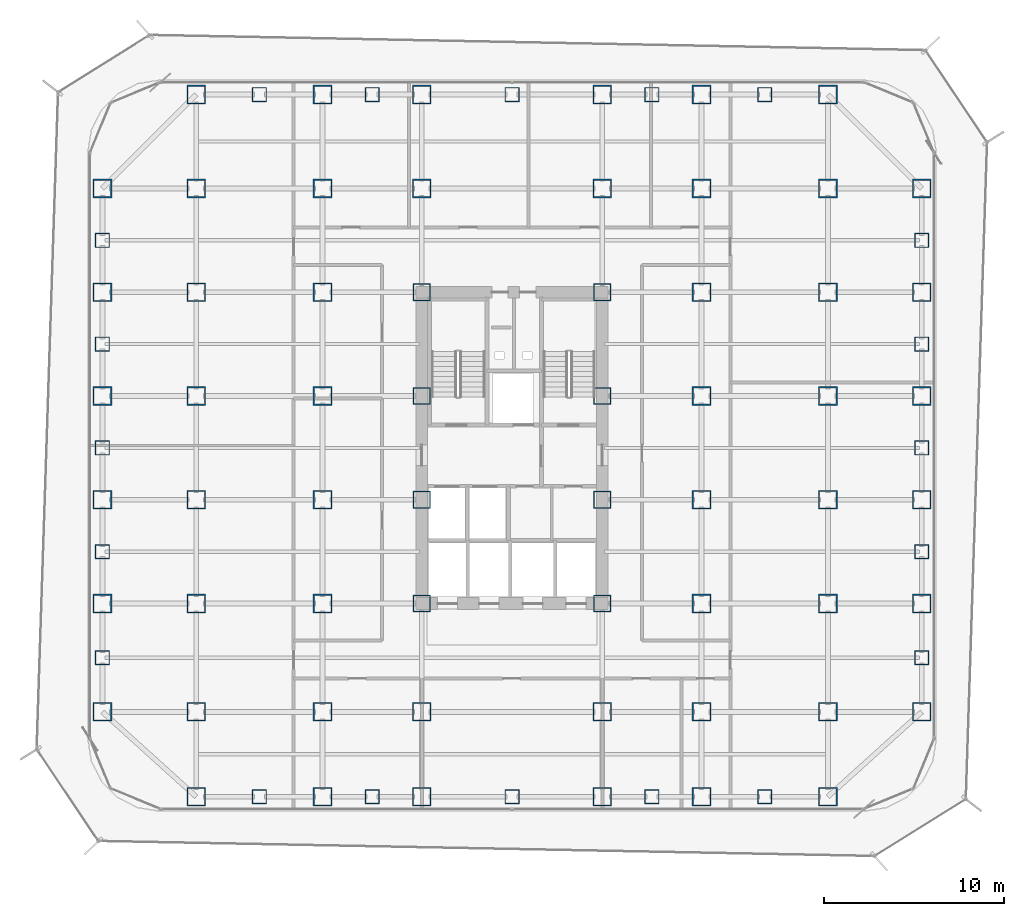
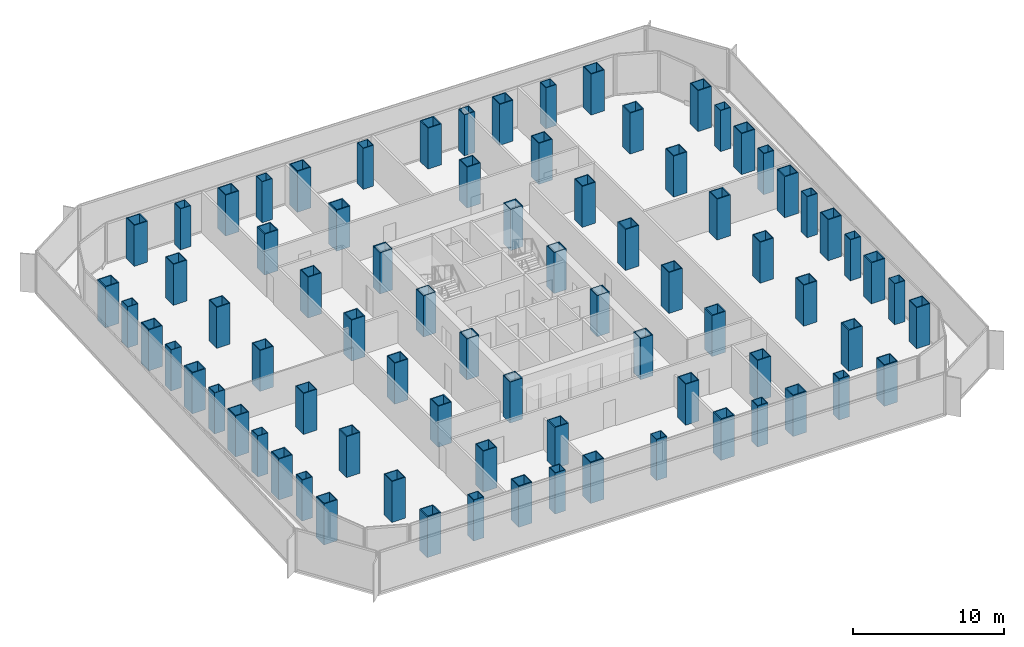
# One storey, part 1 of 21: 80 columns.
"""IFC4 building model written with IfcOpenShell, lengths in metres."""

from ifc_helpers import new_model, si_unit, direction, frame, origin, origin_2d, place, context, subcontext, project, spatial, hollow_rectangle, extrude, source, transform, mapped, material, material_profile, profile_set, type_object, element, save


model = new_model("IFC4")

# Units and contexts
model_context = context("Model", 3, precision=1e-05, world=origin(), true_north=direction((0.0, 1.0)))
body_context = subcontext(model_context, "Body", "Model", "MODEL_VIEW")
ifc_project = project(units=[si_unit("LENGTHUNIT", "METRE"), si_unit("AREAUNIT", "SQUARE_METRE"), si_unit("VOLUMEUNIT", "CUBIC_METRE"), si_unit("PLANEANGLEUNIT", "RADIAN"), si_unit("MASSUNIT", "GRAM", prefix="KILO")], contexts=[model_context])

# Site, building, storey
site_placement = place(None, origin())
site = spatial("IfcSite", under=ifc_project, at=site_placement, CompositionType="ELEMENT")
building_placement = place(site_placement, origin())
building = spatial("IfcBuilding", under=site, at=building_placement, Name="Kolveth Station Tower", CompositionType="ELEMENT")
storey_placement = place(building_placement, frame((0.0, 0.0, 33.300048828125)))
storey = spatial("IfcBuildingStorey", under=building, at=storey_placement, Name="L08", CompositionType="ELEMENT", Elevation=33.300048828125)

# Columns
ifc_material_1 = material(Name="Steel S460", Category="steel")
ifc_material_profile_1 = material_profile(ifc_material_1, hollow_rectangle(XDim=1.0400390625, YDim=1.0400390625, WallThickness=0.06494140625, at=origin_2d()), Name="BOX1040x1040x65")
ifc_profile_set_1 = profile_set([ifc_material_profile_1], Name="Steel S460")
column_type_1 = type_object("IfcColumnType", Name="Col_C2", PredefinedType="COLUMN", material=ifc_profile_set_1)
shared_shape_1 = source(origin(), body_context, "Body", "SweptSolid", [
    extrude(hollow_rectangle(XDim=1.0400390625, YDim=1.0400390625, WallThickness=0.06494140625, at=origin_2d()), origin(), (0.0, 0.0, 1.0), 3.320068359375),
])
for number, where, z_axis, x_axis, name in (
    (1, (6.0, 0.800048828125, 0.0), (0.0, 0.0, 1.0), (1.0, 0.0, 0.0), "L08 Tower Column S-X60"),
    (2, (6.0, 39.699951171875, 0.0), (0.0, 0.0, 1.0), (1.0, 0.0, 0.0), "L08 Tower Column N-X60"),
    (3, (13.0, 0.800048828125, 0.0), (0.0, 0.0, 1.0), (1.0, 0.0, 0.0), "L08 Tower Column S-X130"),
    (4, (13.0, 39.699951171875, 0.0), (0.0, 0.0, 1.0), (1.0, 0.0, 0.0), "L08 Tower Column N-X130"),
    (5, (18.5, 0.800048828125, 0.0), (0.0, 0.0, 1.0), (1.0, 0.0, 0.0), "L08 Tower Column S-X185"),
    (6, (18.5, 39.699951171875, 0.0), (0.0, 0.0, 1.0), (1.0, 0.0, 0.0), "L08 Tower Column N-X185"),
    (7, (28.5, 0.800048828125, 0.0), (0.0, 0.0, 1.0), (1.0, 0.0, 0.0), "L08 Tower Column S-X285"),
    (8, (28.5, 39.699951171875, 0.0), (0.0, 0.0, 1.0), (1.0, 0.0, 0.0), "L08 Tower Column N-X285"),
    (9, (34.0, 0.800048828125, 0.0), (0.0, 0.0, 1.0), (1.0, 0.0, 0.0), "L08 Tower Column S-X340"),
    (10, (34.0, 39.699951171875, 0.0), (0.0, 0.0, 1.0), (1.0, 0.0, 0.0), "L08 Tower Column N-X340"),
    (11, (41.0, 0.800048828125, 0.0), (0.0, 0.0, 1.0), (1.0, 0.0, 0.0), "L08 Tower Column S-X410"),
    (12, (41.0, 39.699951171875, 0.0), (0.0, 0.0, 1.0), (1.0, 0.0, 0.0), "L08 Tower Column N-X410"),
    (13, (0.800048828125, 5.5, 0.0), (0.0, 0.0, 1.0), (1.0, 0.0, 0.0), "L08 Tower Column W-Y55"),
    (14, (46.199951171875, 5.5, 0.0), (0.0, 0.0, 1.0), (1.0, 0.0, 0.0), "L08 Tower Column E-Y55"),
    (15, (0.800048828125, 11.5, 0.0), (0.0, 0.0, 1.0), (1.0, 0.0, 0.0), "L08 Tower Column W-Y115"),
    (16, (46.199951171875, 11.5, 0.0), (0.0, 0.0, 1.0), (1.0, 0.0, 0.0), "L08 Tower Column E-Y115"),
    (17, (0.800048828125, 17.25, 0.0), (0.0, 0.0, 1.0), (1.0, 0.0, 0.0), "L08 Tower Column W-Y172"),
    (18, (46.199951171875, 17.25, 0.0), (0.0, 0.0, 1.0), (1.0, 0.0, 0.0), "L08 Tower Column E-Y172"),
    (19, (0.800048828125, 23.0, 0.0), (0.0, 0.0, 1.0), (1.0, 0.0, 0.0), "L08 Tower Column W-Y230"),
    (20, (46.199951171875, 23.0, 0.0), (0.0, 0.0, 1.0), (1.0, 0.0, 0.0), "L08 Tower Column E-Y230"),
    (21, (0.800048828125, 28.75, 0.0), (0.0, 0.0, 1.0), (1.0, 0.0, 0.0), "L08 Tower Column W-Y287"),
    (22, (46.199951171875, 28.75, 0.0), (0.0, 0.0, 1.0), (1.0, 0.0, 0.0), "L08 Tower Column E-Y287"),
    (23, (0.800048828125, 34.5, 0.0), (0.0, 0.0, 1.0), (1.0, 0.0, 0.0), "L08 Tower Column W-Y345"),
    (24, (46.199951171875, 34.5, 0.0), (0.0, 0.0, 1.0), (1.0, 0.0, 0.0), "L08 Tower Column E-Y345"),
    (25, (6.0, 5.5, 0.0), (0.0, 0.0, 1.0), (1.0, 0.0, 0.0), "L08 Tower Column G-60-55"),
    (26, (6.0, 11.5, 0.0), (0.0, 0.0, 1.0), (1.0, 0.0, 0.0), "L08 Tower Column G-60-115"),
    (27, (6.0, 17.25, 0.0), (0.0, 0.0, 1.0), (1.0, 0.0, 0.0), "L08 Tower Column G-60-172"),
    (28, (6.0, 23.0, 0.0), (0.0, 0.0, 1.0), (1.0, 0.0, 0.0), "L08 Tower Column G-60-230"),
    (29, (6.0, 28.75, 0.0), (0.0, 0.0, 1.0), (1.0, 0.0, 0.0), "L08 Tower Column G-60-287"),
    (30, (6.0, 34.5, 0.0), (0.0, 0.0, 1.0), (1.0, 0.0, 0.0), "L08 Tower Column G-60-345"),
    (31, (13.0, 5.5, 0.0), (0.0, 0.0, 1.0), (1.0, 0.0, 0.0), "L08 Tower Column G-130-55"),
    (32, (13.0, 11.5, 0.0), (0.0, 0.0, 1.0), (1.0, 0.0, 0.0), "L08 Tower Column G-130-115"),
    (33, (13.0, 17.25, 0.0), (0.0, 0.0, 1.0), (1.0, 0.0, 0.0), "L08 Tower Column G-130-172"),
    (34, (13.0, 23.0, 0.0), (0.0, 0.0, 1.0), (1.0, 0.0, 0.0), "L08 Tower Column G-130-230"),
    (35, (13.0, 28.75, 0.0), (0.0, 0.0, 1.0), (1.0, 0.0, 0.0), "L08 Tower Column G-130-287"),
    (36, (13.0, 34.5, 0.0), (0.0, 0.0, 1.0), (1.0, 0.0, 0.0), "L08 Tower Column G-130-345"),
    (37, (18.5, 5.5, 0.0), (0.0, 0.0, 1.0), (1.0, 0.0, 0.0), "L08 Tower Column G-185-55"),
    (38, (18.5, 34.5, 0.0), (0.0, 0.0, 1.0), (1.0, 0.0, 0.0), "L08 Tower Column G-185-345"),
    (39, (28.5, 5.5, 0.0), (0.0, 0.0, 1.0), (1.0, 0.0, 0.0), "L08 Tower Column G-285-55"),
    (40, (28.5, 34.5, 0.0), (0.0, 0.0, 1.0), (1.0, 0.0, 0.0), "L08 Tower Column G-285-345"),
    (41, (34.0, 5.5, 0.0), (0.0, 0.0, 1.0), (1.0, 0.0, 0.0), "L08 Tower Column G-340-55"),
    (42, (34.0, 11.5, 0.0), (0.0, 0.0, 1.0), (1.0, 0.0, 0.0), "L08 Tower Column G-340-115"),
    (43, (34.0, 17.25, 0.0), (0.0, 0.0, 1.0), (1.0, 0.0, 0.0), "L08 Tower Column G-340-172"),
    (44, (34.0, 23.0, 0.0), (0.0, 0.0, 1.0), (1.0, 0.0, 0.0), "L08 Tower Column G-340-230"),
    (45, (34.0, 28.75, 0.0), (0.0, 0.0, 1.0), (1.0, 0.0, 0.0), "L08 Tower Column G-340-287"),
    (46, (34.0, 34.5, 0.0), (0.0, 0.0, 1.0), (1.0, 0.0, 0.0), "L08 Tower Column G-340-345"),
    (47, (41.0, 5.5, 0.0), (0.0, 0.0, 1.0), (1.0, 0.0, 0.0), "L08 Tower Column G-410-55"),
    (48, (41.0, 11.5, 0.0), (0.0, 0.0, 1.0), (1.0, 0.0, 0.0), "L08 Tower Column G-410-115"),
    (49, (41.0, 17.25, 0.0), (0.0, 0.0, 1.0), (1.0, 0.0, 0.0), "L08 Tower Column G-410-172"),
    (50, (41.0, 23.0, 0.0), (0.0, 0.0, 1.0), (1.0, 0.0, 0.0), "L08 Tower Column G-410-230"),
    (51, (41.0, 28.75, 0.0), (0.0, 0.0, 1.0), (1.0, 0.0, 0.0), "L08 Tower Column G-410-287"),
    (52, (41.0, 34.5, 0.0), (0.0, 0.0, 1.0), (1.0, 0.0, 0.0), "L08 Tower Column G-410-345"),
):
    element("IfcColumn", number, at=place(storey_placement, frame(where, z_axis=z_axis, x_axis=x_axis)), inside=storey, type_object=column_type_1, Name=name, PredefinedType="COLUMN", context=body_context, shape_type="MappedRepresentation", body=[
        mapped(shared_shape_1, transform((0.0, 0.0, 0.0), x_axis=(1.0, 0.0, 0.0), y_axis=(0.0, 1.0, 0.0), z_axis=(0.0, 0.0, 1.0), scale=1.0)),
    ])
ifc_material_profile_2 = material_profile(ifc_material_1, hollow_rectangle(XDim=0.9599609375, YDim=0.9599609375, WallThickness=0.06005859375, at=origin_2d()), Name="BOX960x960x60")
ifc_profile_set_2 = profile_set([ifc_material_profile_2], Name="Steel S460")
column_type_2 = type_object("IfcColumnType", Name="Col_C3", PredefinedType="COLUMN", material=ifc_profile_set_2)
shared_shape_2 = source(origin(), body_context, "Body", "SweptSolid", [
    extrude(hollow_rectangle(XDim=0.9599609375, YDim=0.9599609375, WallThickness=0.06005859375, at=origin_2d()), origin(), (0.0, 0.0, 1.0), 3.320068359375),
])
for number, where, z_axis, x_axis, name in (
    (53, (18.5, 11.5, 0.0), (0.0, 0.0, 1.0), (1.0, 0.0, 0.0), "L08 Tower Column G-185-115"),
    (54, (18.5, 17.25, 0.0), (0.0, 0.0, 1.0), (1.0, 0.0, 0.0), "L08 Tower Column G-185-172"),
    (55, (18.5, 23.0, 0.0), (0.0, 0.0, 1.0), (1.0, 0.0, 0.0), "L08 Tower Column G-185-230"),
    (56, (18.5, 28.75, 0.0), (0.0, 0.0, 1.0), (1.0, 0.0, 0.0), "L08 Tower Column G-185-287"),
    (57, (28.5, 11.5, 0.0), (0.0, 0.0, 1.0), (1.0, 0.0, 0.0), "L08 Tower Column G-285-115"),
    (58, (28.5, 17.25, 0.0), (0.0, 0.0, 1.0), (1.0, 0.0, 0.0), "L08 Tower Column G-285-172"),
    (59, (28.5, 23.0, 0.0), (0.0, 0.0, 1.0), (1.0, 0.0, 0.0), "L08 Tower Column G-285-230"),
    (60, (28.5, 28.75, 0.0), (0.0, 0.0, 1.0), (1.0, 0.0, 0.0), "L08 Tower Column G-285-287"),
):
    element("IfcColumn", number, at=place(storey_placement, frame(where, z_axis=z_axis, x_axis=x_axis)), inside=storey, type_object=column_type_2, Name=name, PredefinedType="COLUMN", context=body_context, shape_type="MappedRepresentation", body=[
        mapped(shared_shape_2, transform((0.0, 0.0, 0.0), x_axis=(1.0, 0.0, 0.0), y_axis=(0.0, 1.0, 0.0), z_axis=(0.0, 0.0, 1.0), scale=1.0)),
    ])
ifc_material_2 = material(Name="Steel S355", Category="steel")
ifc_material_profile_3 = material_profile(ifc_material_2, hollow_rectangle(XDim=0.800048828125, YDim=0.800048828125, WallThickness=0.044921875, at=origin_2d()), Name="BOX800x800x45")
ifc_profile_set_3 = profile_set([ifc_material_profile_3], Name="Steel S355")
column_type_3 = type_object("IfcColumnType", Name="Col_C5", PredefinedType="COLUMN", material=ifc_profile_set_3)
shared_shape_3 = source(origin(), body_context, "Body", "SweptSolid", [
    extrude(hollow_rectangle(XDim=0.800048828125, YDim=0.800048828125, WallThickness=0.044921875, at=origin_2d()), origin(), (0.0, 0.0, 1.0), 3.320068359375),
])
for number, where, z_axis, x_axis, name in (
    (61, (9.5, 0.800048828125, 0.0), (0.0, 0.0, 1.0), (1.0, 0.0, 0.0), "L08 Tower Column MS-X95"),
    (62, (9.5, 39.699951171875, 0.0), (0.0, 0.0, 1.0), (1.0, 0.0, 0.0), "L08 Tower Column MN-X95"),
    (63, (15.75, 0.800048828125, 0.0), (0.0, 0.0, 1.0), (1.0, 0.0, 0.0), "L08 Tower Column MS-X157"),
    (64, (15.75, 39.699951171875, 0.0), (0.0, 0.0, 1.0), (1.0, 0.0, 0.0), "L08 Tower Column MN-X157"),
    (65, (23.5, 0.800048828125, 0.0), (0.0, 0.0, 1.0), (1.0, 0.0, 0.0), "L08 Tower Column MS-X235"),
    (66, (23.5, 39.699951171875, 0.0), (0.0, 0.0, 1.0), (1.0, 0.0, 0.0), "L08 Tower Column MN-X235"),
    (67, (31.25, 0.800048828125, 0.0), (0.0, 0.0, 1.0), (1.0, 0.0, 0.0), "L08 Tower Column MS-X312"),
    (68, (31.25, 39.699951171875, 0.0), (0.0, 0.0, 1.0), (1.0, 0.0, 0.0), "L08 Tower Column MN-X312"),
    (69, (37.5, 0.800048828125, 0.0), (0.0, 0.0, 1.0), (1.0, 0.0, 0.0), "L08 Tower Column MS-X375"),
    (70, (37.5, 39.699951171875, 0.0), (0.0, 0.0, 1.0), (1.0, 0.0, 0.0), "L08 Tower Column MN-X375"),
    (71, (0.800048828125, 8.5, 0.0), (0.0, 0.0, 1.0), (1.0, 0.0, 0.0), "L08 Tower Column MW-Y85"),
    (72, (46.199951171875, 8.5, 0.0), (0.0, 0.0, 1.0), (1.0, 0.0, 0.0), "L08 Tower Column ME-Y85"),
    (73, (0.800048828125, 14.375, 0.0), (0.0, 0.0, 1.0), (1.0, 0.0, 0.0), "L08 Tower Column MW-Y143"),
    (74, (46.199951171875, 14.375, 0.0), (0.0, 0.0, 1.0), (1.0, 0.0, 0.0), "L08 Tower Column ME-Y143"),
    (75, (0.800048828125, 20.125, 0.0), (0.0, 0.0, 1.0), (1.0, 0.0, 0.0), "L08 Tower Column MW-Y201"),
    (76, (46.199951171875, 20.125, 0.0), (0.0, 0.0, 1.0), (1.0, 0.0, 0.0), "L08 Tower Column ME-Y201"),
    (77, (0.800048828125, 25.875, 0.0), (0.0, 0.0, 1.0), (1.0, 0.0, 0.0), "L08 Tower Column MW-Y258"),
    (78, (46.199951171875, 25.875, 0.0), (0.0, 0.0, 1.0), (1.0, 0.0, 0.0), "L08 Tower Column ME-Y258"),
    (79, (0.800048828125, 31.625, 0.0), (0.0, 0.0, 1.0), (1.0, 0.0, 0.0), "L08 Tower Column MW-Y316"),
    (80, (46.199951171875, 31.625, 0.0), (0.0, 0.0, 1.0), (1.0, 0.0, 0.0), "L08 Tower Column ME-Y316"),
):
    element("IfcColumn", number, at=place(storey_placement, frame(where, z_axis=z_axis, x_axis=x_axis)), inside=storey, type_object=column_type_3, Name=name, PredefinedType="COLUMN", context=body_context, shape_type="MappedRepresentation", body=[
        mapped(shared_shape_3, transform((0.0, 0.0, 0.0), x_axis=(1.0, 0.0, 0.0), y_axis=(0.0, 1.0, 0.0), z_axis=(0.0, 0.0, 1.0), scale=1.0)),
    ])

save(model, "model.ifc")
